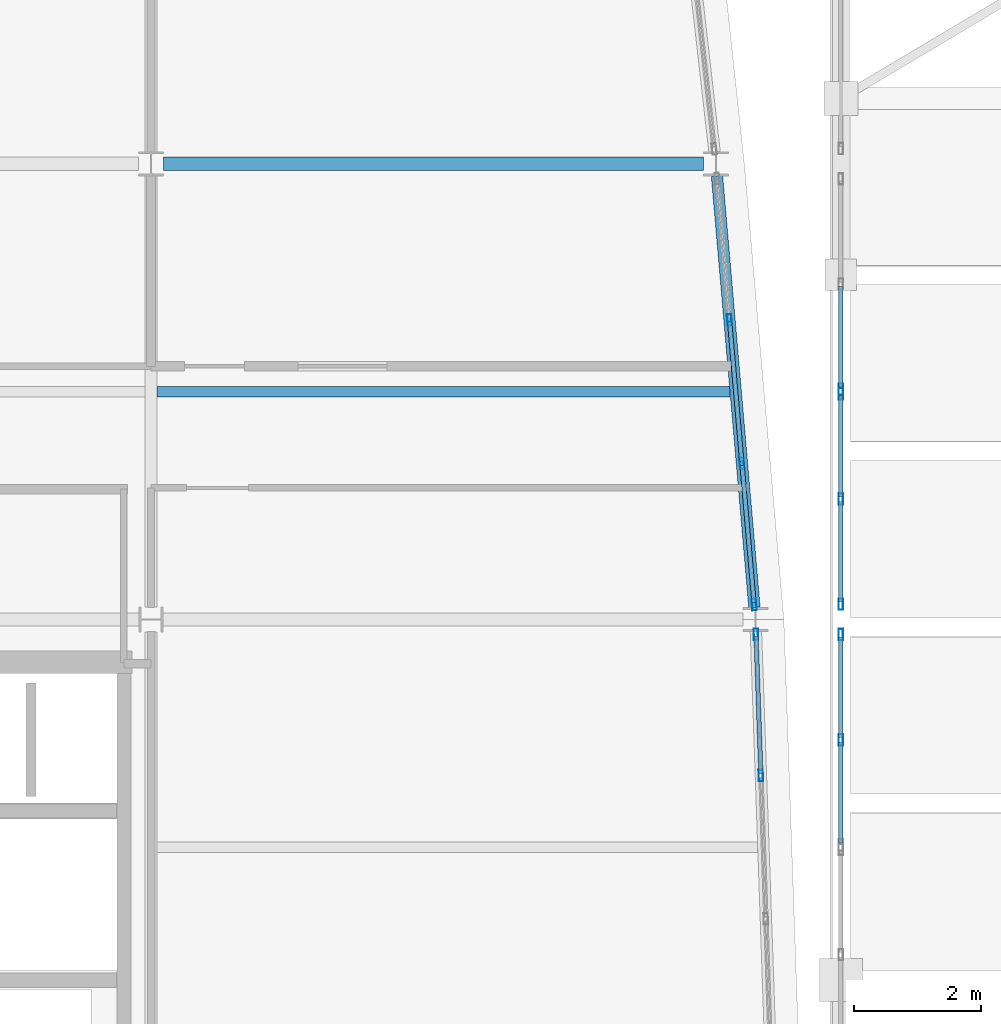
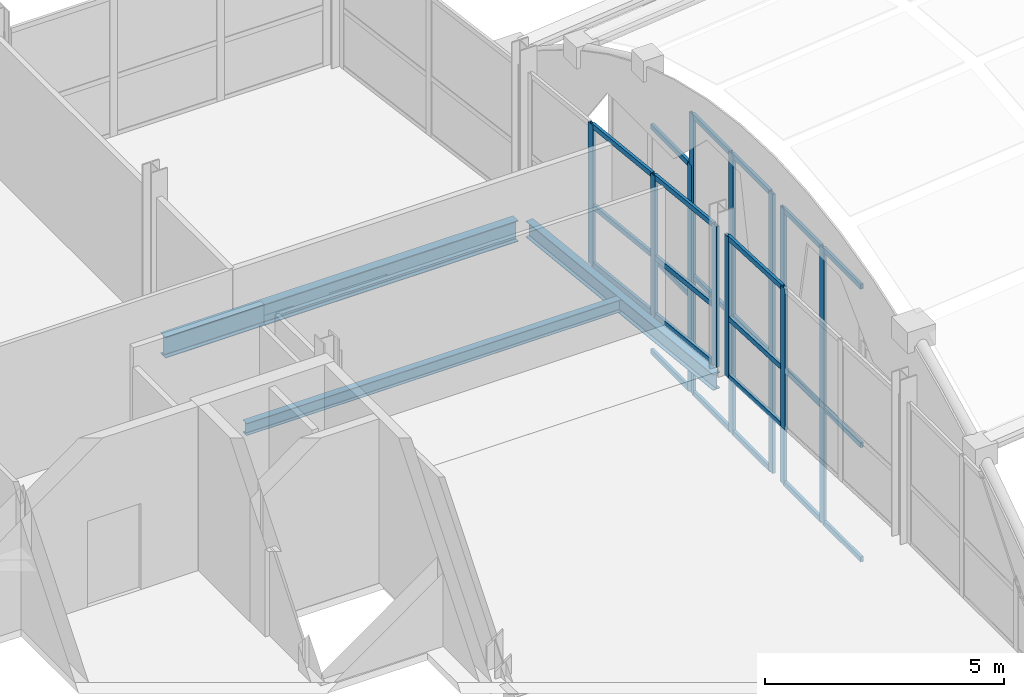
# One storey, part 22 of 65: 35 members, 3 beams, 5 elements without a shape of their own.
"""IFC4 building model written with IfcOpenShell, lengths in metres."""

from ifc_helpers import new_model, si_unit, direction, frame, origin, origin_2d, place, context, subcontext, project, spatial, hollow_rectangle, i_section, extrude, material, layer, layer_set, material_profile, profile_set, type_object, element, aggregate, save


model = new_model("IFC4")

# Units and contexts
model_context = context("Model", 3, precision=1e-05, world=origin(), true_north=direction((0.0, 1.0)))
body_context = subcontext(model_context, "Body", "Model", "MODEL_VIEW")
ifc_project = project(units=[si_unit("LENGTHUNIT", "METRE"), si_unit("AREAUNIT", "SQUARE_METRE"), si_unit("VOLUMEUNIT", "CUBIC_METRE"), si_unit("PLANEANGLEUNIT", "RADIAN"), si_unit("MASSUNIT", "GRAM", prefix="KILO")], contexts=[model_context])

# Site, building, storey
site_placement = place(None, origin())
site = spatial("IfcSite", under=ifc_project, at=site_placement, CompositionType="ELEMENT")
building_placement = place(site_placement, origin())
building = spatial("IfcBuilding", under=site, at=building_placement, Name="Quillay Park Conservatory", CompositionType="ELEMENT")
storey_placement = place(building_placement, frame((0.0, 0.0, 14.10009765625)))
storey = spatial("IfcBuildingStorey", under=building, at=storey_placement, Name="L03", CompositionType="ELEMENT", Elevation=14.10009765625)

# Beam
ifc_material_1 = material(Name="Steel ASTM A992 Grade 50", Category="steel")
ifc_material_profile_1 = material_profile(ifc_material_1, i_section(OverallWidth=0.166015625, OverallDepth=0.31298828125, WebThickness=0.006591796875, FlangeThickness=0.01123046875, FilletRadius=0.010009765625, at=origin_2d()), Name="W310x45")
ifc_profile_set_1 = profile_set([ifc_material_profile_1], Name="Steel ASTM A992 Grade 50")
beam_type_1 = type_object("IfcBeamType", Name="COMPOSITE FLOOR JOIST W310 X45", PredefinedType="JOIST", material=ifc_profile_set_1)
beam_1_placement = place(storey_placement, frame((19.845947265625, 103.199951171875, -0.341552734375), z_axis=(1.0, 0.0, 0.0), x_axis=(0.0, 1.0, 0.0)))
element("IfcBeam", 1, at=beam_1_placement, inside=storey, type_object=beam_type_1, Name="L03 beam BM-J-0303", PredefinedType="JOIST", context=body_context, shape_type="SweptSolid", body=[
    extrude(i_section(OverallWidth=0.166015625, OverallDepth=0.31298828125, WebThickness=0.006591796875, FlangeThickness=0.01123046875, FilletRadius=0.010009765625, at=origin_2d()), origin(), (0.0, 0.0, 1.0), 9.051513671875),
])

# Curtain wall, members
ifc_material_2 = material(Name="Thermally Broken Anodised Aluminium 6063-T6", Category="aluminium")
ifc_layer_1 = layer(ifc_material_2, 0.179931640625)
ifc_layer_set_1 = layer_set([ifc_layer_1], Name="UNITISED CURTAIN WALL TOWER (Thermally Broken Anodised Aluminium 6063-T6)")
curtain_wall_type_1 = type_object("IfcCurtainWallType", Name="UNITISED CURTAIN WALL TOWER", PredefinedType="USERDEFINED", material=ifc_layer_set_1)
curtain_wall_1_placement = place(storey_placement, origin())
curtain_wall_1 = element("IfcCurtainWall", 2, at=curtain_wall_1_placement, inside=storey, type_object=curtain_wall_type_1, Name="L03 Unitised Curtain Wall 032", ObjectType="UNITISED CURTAIN WALL", PredefinedType="USERDEFINED")
ifc_material_3 = material(Name="Thermally Broken Anodised Aluminium 6063-T6", Category="aluminium")
ifc_material_profile_2 = material_profile(ifc_material_3, hollow_rectangle(XDim=0.070068359375, YDim=0.179931640625, WallThickness=0.00390625, at=origin_2d()), Name="AL70x180x4")
ifc_profile_set_2 = profile_set([ifc_material_profile_2], Name="Thermally Broken Anodised Aluminium 6063-T6")
member_type_1 = type_object("IfcMemberType", Name="CURTAIN WALL MULLION 70 X180", PredefinedType="MULLION", material=ifc_profile_set_2)
member_1_placement = place(storey_placement, frame((29.30810546875, 99.365234375, 0.0), z_axis=(0.0, 0.0, 1.0), x_axis=(0.999397310446, 0.034713338537, 0.0)))
member_1 = element("IfcMember", 3, at=member_1_placement, type_object=member_type_1, Name="CW-T1 mullion 1", PredefinedType="MULLION", context=body_context, shape_type="SweptSolid", body=[
    extrude(hollow_rectangle(XDim=0.070068359375, YDim=0.179931640625, WallThickness=0.00390625, at=origin_2d()), origin(), (0.0, 0.0, 1.0), 3.598876953125),
])
member_2_placement = place(storey_placement, frame((29.3857421875, 97.13330078125, 0.0), z_axis=(0.0, 0.0, 1.0), x_axis=(0.999397310446, 0.034713338537, 0.0)))
member_2 = element("IfcMember", 4, at=member_2_placement, type_object=member_type_1, Name="CW-T1 mullion 2", PredefinedType="MULLION", context=body_context, shape_type="SweptSolid", body=[
    extrude(hollow_rectangle(XDim=0.070068359375, YDim=0.179931640625, WallThickness=0.00390625, at=origin_2d()), origin(), (0.0, 0.0, 1.0), 3.598876953125),
])

curtain_wall_2_placement = place(storey_placement, origin())
curtain_wall_2 = element("IfcCurtainWall", 5, at=curtain_wall_2_placement, inside=storey, type_object=curtain_wall_type_1, Name="L03 Unitised Curtain Wall 033", ObjectType="UNITISED CURTAIN WALL", PredefinedType="USERDEFINED")
member_3_placement = place(storey_placement, frame((28.88916015625, 104.33349609375, 0.0), z_axis=(0.0, 0.0, 1.0), x_axis=(0.996253548413, 0.086480444465, 0.0)))
member_3 = element("IfcMember", 6, at=member_3_placement, type_object=member_type_1, Name="CW-T1 mullion 2", PredefinedType="MULLION", context=body_context, shape_type="SweptSolid", body=[
    extrude(hollow_rectangle(XDim=0.070068359375, YDim=0.179931640625, WallThickness=0.00390625, at=origin_2d()), origin(), (0.0, 0.0, 1.0), 3.598876953125),
])
member_4_placement = place(storey_placement, frame((29.0859375, 102.06640625, 0.0), z_axis=(0.0, 0.0, 1.0), x_axis=(0.996253548413, 0.086480444465, 0.0)))
member_4 = element("IfcMember", 7, at=member_4_placement, type_object=member_type_1, Name="CW-T1 mullion 3", PredefinedType="MULLION", context=body_context, shape_type="SweptSolid", body=[
    extrude(hollow_rectangle(XDim=0.070068359375, YDim=0.179931640625, WallThickness=0.00390625, at=origin_2d()), origin(), (0.0, 0.0, 1.0), 3.598876953125),
])
member_5_placement = place(storey_placement, frame((29.27978515625, 99.834228515625, 0.0), z_axis=(0.0, 0.0, 1.0), x_axis=(0.996253548413, 0.086480444465, 0.0)))
member_5 = element("IfcMember", 8, at=member_5_placement, type_object=member_type_1, Name="CW-T1 mullion 4", PredefinedType="MULLION", context=body_context, shape_type="SweptSolid", body=[
    extrude(hollow_rectangle(XDim=0.070068359375, YDim=0.179931640625, WallThickness=0.00390625, at=origin_2d()), origin(), (0.0, 0.0, 1.0), 3.598876953125),
])

ifc_material_4 = material(Name="Thermally Broken Anodised Aluminium 6063-T6", Category="aluminium")
ifc_layer_2 = layer(ifc_material_4, 0.219970703125)
ifc_layer_set_2 = layer_set([ifc_layer_2], Name="UNITISED CURTAIN WALL CONSERVATORY (Thermally Broken Anodised Aluminium 6063-T6)")
curtain_wall_type_2 = type_object("IfcCurtainWallType", Name="UNITISED CURTAIN WALL CONSERVATORY", PredefinedType="USERDEFINED", material=ifc_layer_set_2)
curtain_wall_3_placement = place(storey_placement, origin())
curtain_wall_3 = element("IfcCurtainWall", 9, at=curtain_wall_3_placement, inside=storey, type_object=curtain_wall_type_2, Name="L03 Unitised Curtain Wall 180", ObjectType="UNITISED CURTAIN WALL", PredefinedType="USERDEFINED")
member_6_placement = place(storey_placement, frame((30.64990234375, 97.697509765625, -3.2001953125), z_axis=(0.0, 0.0, 1.0), x_axis=(-1.0, 0.0, 0.0)))
member_6 = element("IfcMember", 10, at=member_6_placement, type_object=member_type_1, Name="CW-C1 mullion 2", PredefinedType="MULLION", context=body_context, shape_type="SweptSolid", body=[
    extrude(hollow_rectangle(XDim=0.070068359375, YDim=0.179931640625, WallThickness=0.00390625, at=origin_2d()), origin(), (0.0, 0.0, 1.0), 7.044677734375),
])
member_7_placement = place(storey_placement, frame((30.64990234375, 99.360107421875, -3.2001953125), z_axis=(0.0, 0.0, 1.0), x_axis=(-1.0, 0.0, 0.0)))
member_7 = element("IfcMember", 11, at=member_7_placement, type_object=member_type_1, Name="CW-C1 mullion 3", PredefinedType="MULLION", context=body_context, shape_type="SweptSolid", body=[
    extrude(hollow_rectangle(XDim=0.070068359375, YDim=0.179931640625, WallThickness=0.00390625, at=origin_2d()), origin(), (0.0, 0.0, 1.0), 7.044677734375),
])

curtain_wall_4_placement = place(storey_placement, origin())
curtain_wall_4 = element("IfcCurtainWall", 12, at=curtain_wall_4_placement, inside=storey, type_object=curtain_wall_type_2, Name="L03 Unitised Curtain Wall 181", ObjectType="UNITISED CURTAIN WALL", PredefinedType="USERDEFINED")
member_8_placement = place(storey_placement, frame((30.64990234375, 99.840087890625, -3.2001953125), z_axis=(0.0, 0.0, 1.0), x_axis=(-1.0, 0.0, 0.0)))
member_8 = element("IfcMember", 13, at=member_8_placement, type_object=member_type_1, Name="CW-C1 mullion 1", PredefinedType="MULLION", context=body_context, shape_type="SweptSolid", body=[
    extrude(hollow_rectangle(XDim=0.070068359375, YDim=0.179931640625, WallThickness=0.00390625, at=origin_2d()), origin(), (0.0, 0.0, 1.0), 7.142333984375),
])
member_9_placement = place(storey_placement, frame((30.64990234375, 101.50244140625, -3.2001953125), z_axis=(0.0, 0.0, 1.0), x_axis=(-1.0, 0.0, 0.0)))
member_9 = element("IfcMember", 14, at=member_9_placement, type_object=member_type_1, Name="CW-C1 mullion 2", PredefinedType="MULLION", context=body_context, shape_type="SweptSolid", body=[
    extrude(hollow_rectangle(XDim=0.070068359375, YDim=0.179931640625, WallThickness=0.00390625, at=origin_2d()), origin(), (0.0, 0.0, 1.0), 7.142333984375),
])
member_10_placement = place(storey_placement, frame((30.64990234375, 103.1650390625, -3.2001953125), z_axis=(0.0, 0.0, 1.0), x_axis=(-1.0, 0.0, 0.0)))
member_10 = element("IfcMember", 15, at=member_10_placement, type_object=member_type_1, Name="CW-C1 mullion 3", PredefinedType="MULLION", context=body_context, shape_type="SweptSolid", body=[
    extrude(hollow_rectangle(XDim=0.070068359375, YDim=0.179931640625, WallThickness=0.00390625, at=origin_2d()), origin(), (0.0, 0.0, 1.0), 7.142333984375),
])

# Curtain wall, member
curtain_wall_5_placement = place(storey_placement, origin())
curtain_wall_5 = element("IfcCurtainWall", 16, at=curtain_wall_5_placement, inside=storey, type_object=curtain_wall_type_2, Name="L03 Unitised Curtain Wall 182", ObjectType="UNITISED CURTAIN WALL", PredefinedType="USERDEFINED")
member_11_placement = place(storey_placement, frame((30.64990234375, 103.235107421875, -3.2001953125), z_axis=(0.0, 0.0, 1.0), x_axis=(-1.0, 0.0, 0.0)))
member_11 = element("IfcMember", 17, at=member_11_placement, type_object=member_type_1, Name="CW-C1 mullion 1", PredefinedType="MULLION", context=body_context, shape_type="SweptSolid", body=[
    extrude(hollow_rectangle(XDim=0.070068359375, YDim=0.179931640625, WallThickness=0.00390625, at=origin_2d()), origin(), (0.0, 0.0, 1.0), 5.818115234375),
])

# Member
ifc_material_5 = material(Name="Thermally Broken Anodised Aluminium 6063-T6", Category="aluminium")
ifc_material_profile_3 = material_profile(ifc_material_5, hollow_rectangle(XDim=0.070068359375, YDim=0.1298828125, WallThickness=0.003173828125, at=origin_2d()), Name="AL70x130x3.2")
ifc_profile_set_3 = profile_set([ifc_material_profile_3], Name="Thermally Broken Anodised Aluminium 6063-T6")
member_type_2 = type_object("IfcMemberType", Name="CURTAIN WALL TRANSOM 70 X130", PredefinedType="USERDEFINED", material=ifc_profile_set_3)
member_12_placement = place(storey_placement, frame((29.309326171875, 99.330078125, 0.034912109375), z_axis=(0.034765508592, -0.999395496994, 0.0), x_axis=(0.999395496994, 0.034765508592, 0.0)))
member_12 = element("IfcMember", 18, at=member_12_placement, type_object=member_type_2, Name="CW-T1 transom 1.1", ObjectType="TRANSOM", PredefinedType="USERDEFINED", context=body_context, shape_type="SweptSolid", body=[
    extrude(hollow_rectangle(XDim=0.070068359375, YDim=0.1298828125, WallThickness=0.003173828125, at=origin_2d()), origin(), (0.0, 0.0, 1.0), 2.162841796875),
])

member_13_placement = place(storey_placement, frame((29.309326171875, 99.330078125, 1.511474609375), z_axis=(0.034765508592, -0.999395496994, 0.0), x_axis=(0.999395496994, 0.034765508592, 0.0)))
member_13 = element("IfcMember", 19, at=member_13_placement, type_object=member_type_2, Name="CW-T1 transom 1.2", ObjectType="TRANSOM", PredefinedType="USERDEFINED", context=body_context, shape_type="SweptSolid", body=[
    extrude(hollow_rectangle(XDim=0.070068359375, YDim=0.1298828125, WallThickness=0.003173828125, at=origin_2d()), origin(), (0.0, 0.0, 1.0), 2.162841796875),
])

member_14_placement = place(storey_placement, frame((29.309326171875, 99.330078125, 3.56396484375), z_axis=(0.034765508592, -0.999395496994, 0.0), x_axis=(0.999395496994, 0.034765508592, 0.0)))
member_14 = element("IfcMember", 20, at=member_14_placement, type_object=member_type_2, Name="CW-T1 transom 1.3", ObjectType="TRANSOM", PredefinedType="USERDEFINED", context=body_context, shape_type="SweptSolid", body=[
    extrude(hollow_rectangle(XDim=0.070068359375, YDim=0.1298828125, WallThickness=0.003173828125, at=origin_2d()), origin(), (0.0, 0.0, 1.0), 2.162841796875),
])

aggregate(curtain_wall_1, [member_1, member_2, member_12, member_13, member_14])

member_15_placement = place(storey_placement, frame((28.89208984375, 104.298583984375, 0.034912109375), z_axis=(0.086452876664, -0.99625594107, 0.0), x_axis=(0.99625594107, 0.086452876664, 0.0)))
member_15 = element("IfcMember", 21, at=member_15_placement, type_object=member_type_2, Name="CW-T1 transom 2.1", ObjectType="TRANSOM", PredefinedType="USERDEFINED", context=body_context, shape_type="SweptSolid", body=[
    extrude(hollow_rectangle(XDim=0.070068359375, YDim=0.1298828125, WallThickness=0.003173828125, at=origin_2d()), origin(), (0.0, 0.0, 1.0), 2.20556640625),
])

member_16_placement = place(storey_placement, frame((28.89208984375, 104.298583984375, 1.511474609375), z_axis=(0.086452876664, -0.99625594107, 0.0), x_axis=(0.99625594107, 0.086452876664, 0.0)))
member_16 = element("IfcMember", 22, at=member_16_placement, type_object=member_type_2, Name="CW-T1 transom 2.2", ObjectType="TRANSOM", PredefinedType="USERDEFINED", context=body_context, shape_type="SweptSolid", body=[
    extrude(hollow_rectangle(XDim=0.070068359375, YDim=0.1298828125, WallThickness=0.003173828125, at=origin_2d()), origin(), (0.0, 0.0, 1.0), 2.20556640625),
])

member_17_placement = place(storey_placement, frame((28.89208984375, 104.298583984375, 3.56396484375), z_axis=(0.086452876664, -0.99625594107, 0.0), x_axis=(0.99625594107, 0.086452876664, 0.0)))
member_17 = element("IfcMember", 23, at=member_17_placement, type_object=member_type_2, Name="CW-T1 transom 2.3", ObjectType="TRANSOM", PredefinedType="USERDEFINED", context=body_context, shape_type="SweptSolid", body=[
    extrude(hollow_rectangle(XDim=0.070068359375, YDim=0.1298828125, WallThickness=0.003173828125, at=origin_2d()), origin(), (0.0, 0.0, 1.0), 2.20556640625),
])

member_18_placement = place(storey_placement, frame((29.0888671875, 102.031494140625, 0.034912109375), z_axis=(0.086498562623, -0.996251975488, 0.0), x_axis=(0.996251975488, 0.086498562623, 0.0)))
member_18 = element("IfcMember", 24, at=member_18_placement, type_object=member_type_2, Name="CW-T1 transom 3.1", ObjectType="TRANSOM", PredefinedType="USERDEFINED", context=body_context, shape_type="SweptSolid", body=[
    extrude(hollow_rectangle(XDim=0.070068359375, YDim=0.1298828125, WallThickness=0.003173828125, at=origin_2d()), origin(), (0.0, 0.0, 1.0), 2.17041015625),
])

member_19_placement = place(storey_placement, frame((29.0888671875, 102.031494140625, 1.511474609375), z_axis=(0.086498562623, -0.996251975488, 0.0), x_axis=(0.996251975488, 0.086498562623, 0.0)))
member_19 = element("IfcMember", 25, at=member_19_placement, type_object=member_type_2, Name="CW-T1 transom 3.2", ObjectType="TRANSOM", PredefinedType="USERDEFINED", context=body_context, shape_type="SweptSolid", body=[
    extrude(hollow_rectangle(XDim=0.070068359375, YDim=0.1298828125, WallThickness=0.003173828125, at=origin_2d()), origin(), (0.0, 0.0, 1.0), 2.17041015625),
])

member_20_placement = place(storey_placement, frame((29.0888671875, 102.031494140625, 3.56396484375), z_axis=(0.086498562623, -0.996251975488, 0.0), x_axis=(0.996251975488, 0.086498562623, 0.0)))
member_20 = element("IfcMember", 26, at=member_20_placement, type_object=member_type_2, Name="CW-T1 transom 3.3", ObjectType="TRANSOM", PredefinedType="USERDEFINED", context=body_context, shape_type="SweptSolid", body=[
    extrude(hollow_rectangle(XDim=0.070068359375, YDim=0.1298828125, WallThickness=0.003173828125, at=origin_2d()), origin(), (0.0, 0.0, 1.0), 2.17041015625),
])

aggregate(curtain_wall_2, [member_3, member_4, member_5, member_15, member_16, member_17, member_18, member_19, member_20])

member_21_placement = place(storey_placement, frame((30.64990234375, 96.070068359375, -3.1650390625), z_axis=(0.0, 1.0, 0.0), x_axis=(-1.0, 0.0, 0.0)))
member_21 = element("IfcMember", 27, at=member_21_placement, type_object=member_type_2, Name="CW-C1 transom 1.1", ObjectType="TRANSOM", PredefinedType="USERDEFINED", context=body_context, shape_type="SweptSolid", body=[
    extrude(hollow_rectangle(XDim=0.070068359375, YDim=0.1298828125, WallThickness=0.003173828125, at=origin_2d()), origin(), (0.0, 0.0, 1.0), 1.592529296875),
])

member_22_placement = place(storey_placement, frame((30.64990234375, 96.070068359375, -0.241455078125), z_axis=(0.0, 1.0, 0.0), x_axis=(-1.0, 0.0, 0.0)))
member_22 = element("IfcMember", 28, at=member_22_placement, type_object=member_type_2, Name="CW-C1 transom 1.2", ObjectType="TRANSOM", PredefinedType="USERDEFINED", context=body_context, shape_type="SweptSolid", body=[
    extrude(hollow_rectangle(XDim=0.070068359375, YDim=0.1298828125, WallThickness=0.003173828125, at=origin_2d()), origin(), (0.0, 0.0, 1.0), 1.592529296875),
])

member_23_placement = place(storey_placement, frame((30.64990234375, 96.070068359375, 3.809326171875), z_axis=(0.0, 1.0, 0.0), x_axis=(-1.0, 0.0, 0.0)))
member_23 = element("IfcMember", 29, at=member_23_placement, type_object=member_type_2, Name="CW-C1 transom 1.3", ObjectType="TRANSOM", PredefinedType="USERDEFINED", context=body_context, shape_type="SweptSolid", body=[
    extrude(hollow_rectangle(XDim=0.070068359375, YDim=0.1298828125, WallThickness=0.003173828125, at=origin_2d()), origin(), (0.0, 0.0, 1.0), 1.592529296875),
])

member_24_placement = place(storey_placement, frame((30.64990234375, 97.732421875, -3.1650390625), z_axis=(0.0, 1.0, 0.0), x_axis=(-1.0, 0.0, 0.0)))
member_24 = element("IfcMember", 30, at=member_24_placement, type_object=member_type_2, Name="CW-C1 transom 2.1", ObjectType="TRANSOM", PredefinedType="USERDEFINED", context=body_context, shape_type="SweptSolid", body=[
    extrude(hollow_rectangle(XDim=0.070068359375, YDim=0.1298828125, WallThickness=0.003173828125, at=origin_2d()), origin(), (0.0, 0.0, 1.0), 1.592529296875),
])

member_25_placement = place(storey_placement, frame((30.64990234375, 97.732421875, -0.241455078125), z_axis=(0.0, 1.0, 0.0), x_axis=(-1.0, 0.0, 0.0)))
member_25 = element("IfcMember", 31, at=member_25_placement, type_object=member_type_2, Name="CW-C1 transom 2.2", ObjectType="TRANSOM", PredefinedType="USERDEFINED", context=body_context, shape_type="SweptSolid", body=[
    extrude(hollow_rectangle(XDim=0.070068359375, YDim=0.1298828125, WallThickness=0.003173828125, at=origin_2d()), origin(), (0.0, 0.0, 1.0), 1.592529296875),
])

member_26_placement = place(storey_placement, frame((30.64990234375, 97.732421875, 3.809326171875), z_axis=(0.0, 1.0, 0.0), x_axis=(-1.0, 0.0, 0.0)))
member_26 = element("IfcMember", 32, at=member_26_placement, type_object=member_type_2, Name="CW-C1 transom 2.3", ObjectType="TRANSOM", PredefinedType="USERDEFINED", context=body_context, shape_type="SweptSolid", body=[
    extrude(hollow_rectangle(XDim=0.070068359375, YDim=0.1298828125, WallThickness=0.003173828125, at=origin_2d()), origin(), (0.0, 0.0, 1.0), 1.592529296875),
])

aggregate(curtain_wall_3, [member_6, member_7, member_21, member_22, member_23, member_24, member_25, member_26])

member_27_placement = place(storey_placement, frame((30.64990234375, 99.875, -3.1650390625), z_axis=(0.0, 1.0, 0.0), x_axis=(-1.0, 0.0, 0.0)))
member_27 = element("IfcMember", 33, at=member_27_placement, type_object=member_type_2, Name="CW-C1 transom 1.1", ObjectType="TRANSOM", PredefinedType="USERDEFINED", context=body_context, shape_type="SweptSolid", body=[
    extrude(hollow_rectangle(XDim=0.070068359375, YDim=0.1298828125, WallThickness=0.003173828125, at=origin_2d()), origin(), (0.0, 0.0, 1.0), 1.592529296875),
])

member_28_placement = place(storey_placement, frame((30.64990234375, 99.875, -0.200439453125), z_axis=(0.0, 1.0, 0.0), x_axis=(-1.0, 0.0, 0.0)))
member_28 = element("IfcMember", 34, at=member_28_placement, type_object=member_type_2, Name="CW-C1 transom 1.2", ObjectType="TRANSOM", PredefinedType="USERDEFINED", context=body_context, shape_type="SweptSolid", body=[
    extrude(hollow_rectangle(XDim=0.070068359375, YDim=0.1298828125, WallThickness=0.003173828125, at=origin_2d()), origin(), (0.0, 0.0, 1.0), 1.592529296875),
])

member_29_placement = place(storey_placement, frame((30.64990234375, 99.875, 3.906982421875), z_axis=(0.0, 1.0, 0.0), x_axis=(-1.0, 0.0, 0.0)))
member_29 = element("IfcMember", 35, at=member_29_placement, type_object=member_type_2, Name="CW-C1 transom 1.3", ObjectType="TRANSOM", PredefinedType="USERDEFINED", context=body_context, shape_type="SweptSolid", body=[
    extrude(hollow_rectangle(XDim=0.070068359375, YDim=0.1298828125, WallThickness=0.003173828125, at=origin_2d()), origin(), (0.0, 0.0, 1.0), 1.592529296875),
])

member_30_placement = place(storey_placement, frame((30.64990234375, 101.53759765625, -3.1650390625), z_axis=(0.0, 1.0, 0.0), x_axis=(-1.0, 0.0, 0.0)))
member_30 = element("IfcMember", 36, at=member_30_placement, type_object=member_type_2, Name="CW-C1 transom 2.1", ObjectType="TRANSOM", PredefinedType="USERDEFINED", context=body_context, shape_type="SweptSolid", body=[
    extrude(hollow_rectangle(XDim=0.070068359375, YDim=0.1298828125, WallThickness=0.003173828125, at=origin_2d()), origin(), (0.0, 0.0, 1.0), 1.59228515625),
])

member_31_placement = place(storey_placement, frame((30.64990234375, 101.53759765625, -0.200439453125), z_axis=(0.0, 1.0, 0.0), x_axis=(-1.0, 0.0, 0.0)))
member_31 = element("IfcMember", 37, at=member_31_placement, type_object=member_type_2, Name="CW-C1 transom 2.2", ObjectType="TRANSOM", PredefinedType="USERDEFINED", context=body_context, shape_type="SweptSolid", body=[
    extrude(hollow_rectangle(XDim=0.070068359375, YDim=0.1298828125, WallThickness=0.003173828125, at=origin_2d()), origin(), (0.0, 0.0, 1.0), 1.59228515625),
])

member_32_placement = place(storey_placement, frame((30.64990234375, 101.53759765625, 3.906982421875), z_axis=(0.0, 1.0, 0.0), x_axis=(-1.0, 0.0, 0.0)))
member_32 = element("IfcMember", 38, at=member_32_placement, type_object=member_type_2, Name="CW-C1 transom 2.3", ObjectType="TRANSOM", PredefinedType="USERDEFINED", context=body_context, shape_type="SweptSolid", body=[
    extrude(hollow_rectangle(XDim=0.070068359375, YDim=0.1298828125, WallThickness=0.003173828125, at=origin_2d()), origin(), (0.0, 0.0, 1.0), 1.59228515625),
])

aggregate(curtain_wall_4, [member_8, member_9, member_10, member_27, member_28, member_29, member_30, member_31, member_32])

member_33_placement = place(storey_placement, frame((30.64990234375, 103.27001953125, -3.1650390625), z_axis=(0.0, 1.0, 0.0), x_axis=(-1.0, 0.0, 0.0)))
member_33 = element("IfcMember", 39, at=member_33_placement, type_object=member_type_2, Name="CW-C1 transom 1.1", ObjectType="TRANSOM", PredefinedType="USERDEFINED", context=body_context, shape_type="SweptSolid", body=[
    extrude(hollow_rectangle(XDim=0.070068359375, YDim=0.1298828125, WallThickness=0.003173828125, at=origin_2d()), origin(), (0.0, 0.0, 1.0), 1.592529296875),
])

member_34_placement = place(storey_placement, frame((30.64990234375, 103.27001953125, -0.756591796875), z_axis=(0.0, 1.0, 0.0), x_axis=(-1.0, 0.0, 0.0)))
member_34 = element("IfcMember", 40, at=member_34_placement, type_object=member_type_2, Name="CW-C1 transom 1.2", ObjectType="TRANSOM", PredefinedType="USERDEFINED", context=body_context, shape_type="SweptSolid", body=[
    extrude(hollow_rectangle(XDim=0.070068359375, YDim=0.1298828125, WallThickness=0.003173828125, at=origin_2d()), origin(), (0.0, 0.0, 1.0), 1.592529296875),
])

member_35_placement = place(storey_placement, frame((30.64990234375, 103.27001953125, 2.582763671875), z_axis=(0.0, 1.0, 0.0), x_axis=(-1.0, 0.0, 0.0)))
member_35 = element("IfcMember", 41, at=member_35_placement, type_object=member_type_2, Name="CW-C1 transom 1.3", ObjectType="TRANSOM", PredefinedType="USERDEFINED", context=body_context, shape_type="SweptSolid", body=[
    extrude(hollow_rectangle(XDim=0.070068359375, YDim=0.1298828125, WallThickness=0.003173828125, at=origin_2d()), origin(), (0.0, 0.0, 1.0), 1.592529296875),
])

aggregate(curtain_wall_5, [member_11, member_33, member_34, member_35])

# Beams
ifc_material_6 = material(Name="Steel ASTM A992 Grade 50", Category="steel")
ifc_material_profile_4 = material_profile(ifc_material_6, i_section(OverallWidth=0.179931640625, OverallDepth=0.4130859375, WebThickness=0.009765625, FlangeThickness=0.01611328125, FilletRadius=0.011962890625, at=origin_2d()), Name="W410x74")
ifc_profile_set_4 = profile_set([ifc_material_profile_4], Name="Steel ASTM A992 Grade 50")
beam_type_2 = type_object("IfcBeamType", Name="PERIMETER SPANDREL BEAM W410 X74", PredefinedType="SPANDREL", material=ifc_profile_set_4)
beam_2_placement = place(storey_placement, frame((29.28369140625, 99.789306640625, -0.3916015625), z_axis=(-0.086503445384, 0.996251551535, 0.0), x_axis=(-0.996251551535, -0.086503445384, 0.0)))
element("IfcBeam", 42, at=beam_2_placement, inside=storey, type_object=beam_type_2, Name="L03 beam BM-SPE-0299", PredefinedType="SPANDREL", context=body_context, shape_type="SweptSolid", body=[
    extrude(i_section(OverallWidth=0.179931640625, OverallDepth=0.4130859375, WebThickness=0.009765625, FlangeThickness=0.01611328125, FilletRadius=0.011962890625, at=origin_2d()), origin(), (0.0, 0.0, 1.0), 6.846923828125),
])
ifc_material_7 = material(Name="Steel ASTM A992 Grade 50", Category="steel")
ifc_material_profile_5 = material_profile(ifc_material_7, i_section(OverallWidth=0.2109375, OverallDepth=0.5390625, WebThickness=0.01171875, FlangeThickness=0.018798828125, FilletRadius=0.013916015625, at=origin_2d()), Name="W530x109")
ifc_profile_set_5 = profile_set([ifc_material_profile_5], Name="Steel ASTM A992 Grade 50")
beam_type_3 = type_object("IfcBeamType", Name="PRIMARY FLOOR GIRDER W530 X109", PredefinedType="BEAM", material=ifc_profile_set_5)
beam_3_placement = place(storey_placement, frame((19.947509765625, 106.800048828125, -0.45458984375), z_axis=(1.0, 0.0, 0.0), x_axis=(0.0, 1.0, 0.0)))
element("IfcBeam", 43, at=beam_3_placement, inside=storey, type_object=beam_type_3, Name="L03 beam BM-G-0262", PredefinedType="BEAM", context=body_context, shape_type="SweptSolid", body=[
    extrude(i_section(OverallWidth=0.2109375, OverallDepth=0.5390625, WebThickness=0.01171875, FlangeThickness=0.018798828125, FilletRadius=0.013916015625, at=origin_2d()), origin(), (0.0, 0.0, 1.0), 8.530029296875),
])

save(model, "model.ifc")
